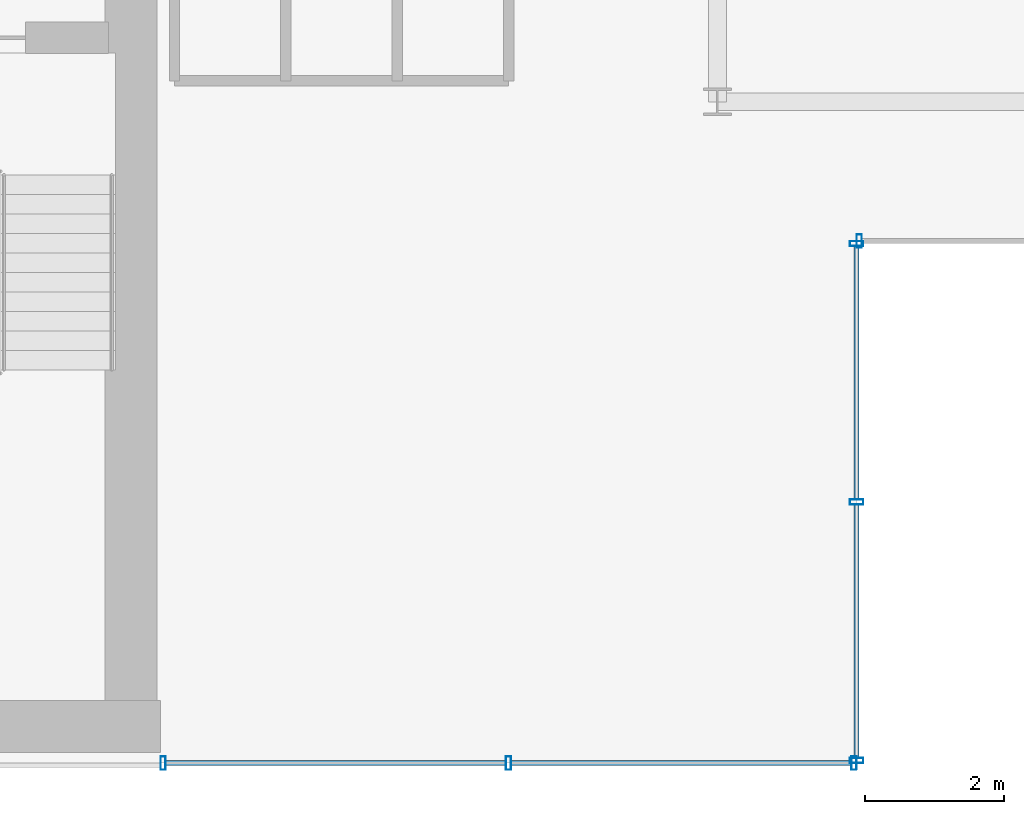
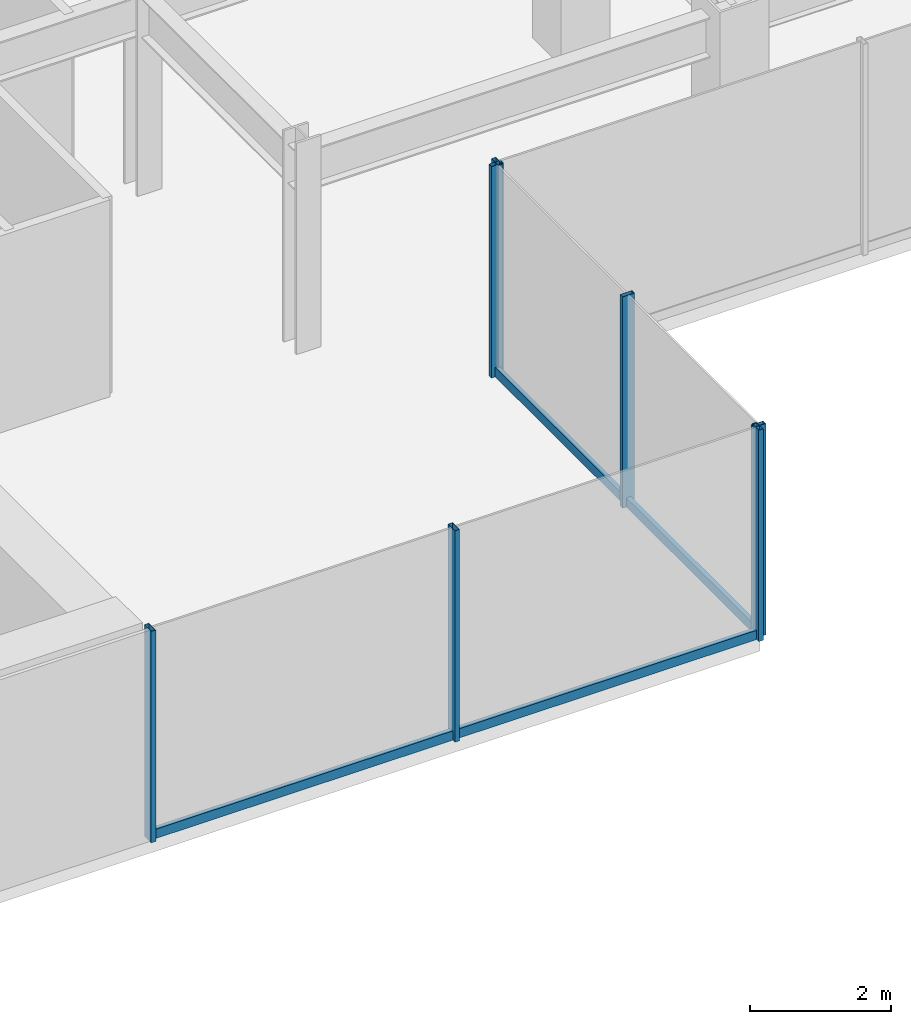
# One storey, part 8 of 26: 11 members, 3 elements without a shape of their own.
"""IFC4 building model written with IfcOpenShell, lengths in metres."""

import ifcopenshell
import ifcopenshell.guid

model = None  # the IFC model being written
_history = None  # IfcOwnerHistory: only IFC2X3 demands one
_inside = {}  # id of a spatial element -> (the spatial element, [elements in it])
_under = {}  # id of a project, library or spatial element -> (it, [spatial elements below it])
_declared = {}  # id of a project -> (the project, [libraries it declares])
_typed = {}  # id of a type object -> (the type object, [elements of that type])
_made_of = {}  # id of a material, layer set ... -> (it, [elements and type objects made of it])


def new_model(schema):
    """Start an empty IFC model of exactly this schema.

    Asked for "IFC4X3", IfcOpenShell would pick the latest addendum, in which some entities
    have other attributes; the version numbers below select the first issue.
    IFC2X3 requires an IfcOwnerHistory on every rooted entity: one is made here for all.
    """
    global model, _history
    if schema == "IFC4X3":
        model = ifcopenshell.file(schema_version=(4, 3, 0, 0))
    else:
        model = ifcopenshell.file(schema=schema)
    _inside.clear()
    _under.clear()
    _declared.clear()
    _typed.clear()
    _made_of.clear()
    _history = None
    if model.schema == "IFC2X3":
        org = make("IfcOrganization", Name="unknown")
        user = make(
            "IfcPersonAndOrganization",
            ThePerson=make("IfcPerson", FamilyName="unknown"),
            TheOrganization=org,
        )
        app = make(
            "IfcApplication",
            ApplicationDeveloper=org,
            Version="unknown",
            ApplicationFullName="unknown",
            ApplicationIdentifier="unknown",
        )
        _history = make(
            "IfcOwnerHistory",
            OwningUser=user,
            OwningApplication=app,
            ChangeAction="ADDED",
            CreationDate=0,
        )
    return model


def make(cls, **values):
    """One entity of the class cls with the attributes given. An attribute that is None is left unset."""
    return model.create_entity(
        cls, **{name: value for name, value in values.items() if value is not None}
    )


def rooted(cls, **values):
    """An entity with a GlobalId (a new one), such as an element, a storey or a relation."""
    return make(cls, GlobalId=ifcopenshell.guid.new(), OwnerHistory=_history, **values)


def si_unit(unit_type, name, prefix=None):
    """IfcSIUnit, for example si_unit("LENGTHUNIT", "METRE", prefix="MILLI")."""
    return make("IfcSIUnit", UnitType=unit_type, Prefix=prefix, Name=name)


def derived_unit(unit_type, elements):
    """IfcDerivedUnit: a product of units, each with its exponent."""
    return make(
        "IfcDerivedUnit",
        Elements=[
            make("IfcDerivedUnitElement", Unit=unit, Exponent=power)
            for unit, power in elements
        ],
        UnitType=unit_type,
    )


def assignment(units):
    """IfcUnitAssignment: the units of a project."""
    return None if units is None else make("IfcUnitAssignment", Units=units)


def point(xyz):
    """IfcCartesianPoint."""
    return None if xyz is None else make("IfcCartesianPoint", Coordinates=xyz)


def direction(xyz):
    """IfcDirection."""
    return None if xyz is None else make("IfcDirection", DirectionRatios=xyz)


def frame(location, z_axis=None, x_axis=None):
    """IfcAxis2Placement3D, a coordinate frame: its origin and axes. An axis left out is left unset."""
    return make(
        "IfcAxis2Placement3D",
        Location=point(location),
        Axis=direction(z_axis),
        RefDirection=direction(x_axis),
    )


def frame_2d(location, x_axis=None):
    """IfcAxis2Placement2D, a coordinate frame in the plane: its origin and x axis."""
    return make(
        "IfcAxis2Placement2D", Location=point(location), RefDirection=direction(x_axis)
    )


def origin():
    """The frame at (0, 0, 0) with its axes left unset."""
    return frame((0.0, 0.0, 0.0))


def origin_2d():
    """The frame at (0, 0) in the plane with its x axis left unset."""
    return frame_2d((0.0, 0.0))


def place(relative_to, where):
    """IfcLocalPlacement: puts the frame where relative to a parent placement (None: the world)."""
    return make(
        "IfcLocalPlacement", PlacementRelTo=relative_to, RelativePlacement=where
    )


def context(
    kind, dimensions, precision=None, world=None, true_north=None, identifier=None
):
    """IfcGeometricRepresentationContext, for example the 3D "Model" context."""
    return make(
        "IfcGeometricRepresentationContext",
        ContextIdentifier=identifier,
        ContextType=kind,
        CoordinateSpaceDimension=dimensions,
        Precision=precision,
        WorldCoordinateSystem=world,
        TrueNorth=true_north,
    )


def subcontext(parent, identifier, kind, view, scale=None):
    """IfcGeometricRepresentationSubContext, for example "Body" below "Model"."""
    return make(
        "IfcGeometricRepresentationSubContext",
        ContextIdentifier=identifier,
        ContextType=kind,
        ParentContext=parent,
        TargetScale=scale,
        TargetView=view,
    )


def project(units=None, contexts=None):
    """IfcProject with its units and contexts."""
    return rooted(
        "IfcProject",
        Name="project",
        RepresentationContexts=contexts,
        UnitsInContext=assignment(units),
    )


def spatial(cls, under=None, at=None, **own):
    """A site, building, storey or space (cls), placed at a placement, below another one or the project."""
    s = rooted(cls, ObjectPlacement=at, **own)
    if under is not None:
        _under.setdefault(under.id(), (under, []))[1].append(s)
    return s


def profile(cls, at=None, kind="AREA", **sizes):
    """A parametric profile (cls). Its sizes go by their IFC names, for example OverallWidth=200.0."""
    return make(cls, ProfileType=kind, Position=at, **sizes)


def hollow_rectangle(**sizes):
    """IfcRectangleHollowProfileDef."""
    return profile("IfcRectangleHollowProfileDef", **sizes)


def extrude(swept, where, along, depth):
    """IfcExtrudedAreaSolid: the profile swept, set in the frame where, extruded along a direction by depth."""
    return make(
        "IfcExtrudedAreaSolid",
        SweptArea=swept,
        Position=where,
        ExtrudedDirection=direction(along),
        Depth=depth,
    )


def shape(context_of_items, identifier, shape_type, items):
    """IfcShapeRepresentation: the items that make up one representation, for example the "Body"."""
    return make(
        "IfcShapeRepresentation",
        ContextOfItems=context_of_items,
        RepresentationIdentifier=identifier,
        RepresentationType=shape_type,
        Items=items,
    )


def source(mapping_origin, context_of_items, identifier, shape_type, items):
    """IfcRepresentationMap: a shape defined once, which mapped items show again and again."""
    return make(
        "IfcRepresentationMap",
        MappingOrigin=mapping_origin,
        MappedRepresentation=shape(context_of_items, identifier, shape_type, items),
    )


def transform(
    local_origin,
    x_axis=None,
    y_axis=None,
    z_axis=None,
    scale=None,
    scale2=None,
    scale3=None,
    uniform=True,
):
    """IfcCartesianTransformationOperator3D, or its non-uniform kind. x_axis, y_axis, z_axis: its Axis1, 2, 3."""
    if uniform:
        return make(
            "IfcCartesianTransformationOperator3D",
            Axis1=direction(x_axis),
            Axis2=direction(y_axis),
            LocalOrigin=point(local_origin),
            Scale=scale,
            Axis3=direction(z_axis),
        )
    return make(
        "IfcCartesianTransformationOperator3DnonUniform",
        Axis1=direction(x_axis),
        Axis2=direction(y_axis),
        LocalOrigin=point(local_origin),
        Scale=scale,
        Axis3=direction(z_axis),
        Scale2=scale2,
        Scale3=scale3,
    )


def mapped(mapping_source, mapping_target):
    """IfcMappedItem: shows the shape of a source again, moved by a transform."""
    return make(
        "IfcMappedItem", MappingSource=mapping_source, MappingTarget=mapping_target
    )


def material(Name=None, Category=None):
    """IfcMaterial."""
    return make("IfcMaterial", Name=Name, Category=Category)


def material_profile(
    of_material, cross_section, Name=None, Category=None, Priority=None
):
    """IfcMaterialProfile: a cross section and its material."""
    return make(
        "IfcMaterialProfile",
        Name=Name,
        Material=of_material,
        Profile=cross_section,
        Priority=Priority,
        Category=Category,
    )


def profile_set(profiles, Name=None, composite=None):
    """IfcMaterialProfileSet."""
    return make(
        "IfcMaterialProfileSet",
        Name=Name,
        MaterialProfiles=profiles,
        CompositeProfile=composite,
    )


def made_of(thing, what):
    """Note that an element or type object is made of a material, layer set ...; save() writes the relation."""
    if what is not None:
        _made_of.setdefault(what.id(), (what, []))[1].append(thing)
    return thing


def type_object(cls, material=None, **own):
    """A type object (cls), such as IfcWallType, which elements share."""
    return made_of(rooted(cls, **own), material)


def element(
    cls,
    number,
    at=None,
    inside=None,
    cuts=None,
    type_object=None,
    material=None,
    context=None,
    identifier="Body",
    shape_type=None,
    held_by="IfcProductDefinitionShape",
    body=None,
    shapes=None,
    **own,
):
    """One element of the class cls, such as IfcWall. Its Tag is "e" and its number.

    at: its placement. inside: the storey or other place that contains it. cuts: it is an
    opening in that element (IfcRelVoidsElement). A single representation is given by context,
    identifier, shape_type and body (its items); several are given by shapes. held_by: the class
    of the entity that holds the representations. save() writes the other relations.
    """
    e = rooted(cls, Tag="e%d" % number, ObjectPlacement=at, **own)
    if body is not None:
        shapes = [shape(context, identifier, shape_type, body)]
    if shapes is not None:
        e.Representation = make(held_by, Representations=shapes)
    if inside is not None:
        _inside.setdefault(inside.id(), (inside, []))[1].append(e)
    if cuts is not None:
        rooted(
            "IfcRelVoidsElement", RelatingBuildingElement=cuts, RelatedOpeningElement=e
        )
    if type_object is not None:
        _typed.setdefault(type_object.id(), (type_object, []))[1].append(e)
    return made_of(e, material)


def aggregate(whole, parts):
    """IfcRelAggregates: a whole, such as a stair, and the parts it consists of."""
    return rooted("IfcRelAggregates", RelatingObject=whole, RelatedObjects=parts)


def save(model, path):
    """Write the relations noted so far, then the file.

    IfcRelAggregates (storeys below a building ...), IfcRelContainedInSpatialStructure (elements
    in a storey), IfcRelDefinesByType, IfcRelAssociatesMaterial and IfcRelDeclares: one each for
    every whole, place, type object, material and project.
    """
    for whole, parts in _under.values():
        aggregate(whole, parts)
    for where, things in _inside.values():
        rooted(
            "IfcRelContainedInSpatialStructure",
            RelatedElements=things,
            RelatingStructure=where,
        )
    for kind, things in _typed.values():
        rooted("IfcRelDefinesByType", RelatedObjects=things, RelatingType=kind)
    for what, things in _made_of.values():
        rooted("IfcRelAssociatesMaterial", RelatedObjects=things, RelatingMaterial=what)
    for by, libraries in _declared.values():
        rooted("IfcRelDeclares", RelatingContext=by, RelatedDefinitions=libraries)
    model.write(path)


model = new_model("IFC4")

# Units and contexts
model_context = context("Model", 3, precision=1e-05, world=origin(), true_north=direction((0.0, 1.0)))
body_context = subcontext(model_context, "Body", "Model", "MODEL_VIEW")
ifc_project = project(units=[si_unit("LENGTHUNIT", "METRE"), si_unit("AREAUNIT", "SQUARE_METRE"), si_unit("VOLUMEUNIT", "CUBIC_METRE"), si_unit("PLANEANGLEUNIT", "RADIAN"), si_unit("MASSUNIT", "GRAM", prefix="KILO"), derived_unit("THERMALTRANSMITTANCEUNIT", [(si_unit("POWERUNIT", "WATT"), 1), (si_unit("LENGTHUNIT", "METRE"), -2), (si_unit("THERMODYNAMICTEMPERATUREUNIT", "KELVIN"), -1)])], contexts=[model_context])

# Site, building, storey
site_placement = place(None, origin())
site = spatial("IfcSite", under=ifc_project, at=site_placement, CompositionType="ELEMENT")
building_placement = place(site_placement, origin())
building = spatial("IfcBuilding", under=site, at=building_placement, Name="Skarnbrae Concourse Arena and Tower", CompositionType="ELEMENT")
storey_placement = place(building_placement, frame((0.0, 0.0, 117.85009765625)))
storey = spatial("IfcBuildingStorey", under=building, at=storey_placement, Name="L29", CompositionType="ELEMENT", Elevation=117.85009765625)

# Curtain wall, members
ifc_material = material(Name="Bronze anodised aluminium 6063-T6", Category="aluminium")
curtain_wall_type = type_object("IfcCurtainWallType", Name="CW-SYS-04-MIDZONE", PredefinedType="USERDEFINED", material=ifc_material)
curtain_wall_1_placement = place(storey_placement, origin())
curtain_wall_1 = element("IfcCurtainWall", 1, at=curtain_wall_1_placement, inside=storey, type_object=curtain_wall_type, Name="L29 Unitised curtain wall CW-L29-SE-SPINE", ObjectType="UNITISED CURTAIN WALL", PredefinedType="USERDEFINED")
ifc_material_profile_1 = material_profile(ifc_material, hollow_rectangle(XDim=0.074951171875, YDim=0.159912109375, WallThickness=0.00439453125, at=origin_2d()), Name="ALU-TRAN-75X160")
ifc_profile_set_1 = profile_set([ifc_material_profile_1], Name="Bronze anodised aluminium 6063-T6")
member_type_1 = type_object("IfcMemberType", Name="CWT-CW-04", PredefinedType="USERDEFINED", material=ifc_profile_set_1)
shared_shape_1 = source(origin(), body_context, "Body", "SweptSolid", [
    extrude(hollow_rectangle(XDim=0.074951171875, YDim=0.159912109375, WallThickness=0.00439453125, at=origin_2d()), origin(), (0.0, 0.0, 1.0), 4.887451171875),
])
member_1_placement = place(storey_placement, frame((34.074951171875, 0.0, 0.079833984375), z_axis=(1.0, 0.0, 0.0), x_axis=(0.0, 1.0, 0.0)))
member_1 = element("IfcMember", 2, at=member_1_placement, type_object=member_type_1, Name="CW-L29-SE-SPINE Transom 1", ObjectType="TRANSOM", PredefinedType="USERDEFINED", context=body_context, shape_type="MappedRepresentation", body=[
    mapped(shared_shape_1, transform((0.0, 0.0, 0.0))),
])
member_2_placement = place(storey_placement, frame((39.03759765625, 0.0, 0.079833984375), z_axis=(1.0, 0.0, 0.0), x_axis=(0.0, 1.0, 0.0)))
member_2 = element("IfcMember", 3, at=member_2_placement, type_object=member_type_1, Name="CW-L29-SE-SPINE Transom 2", ObjectType="TRANSOM", PredefinedType="USERDEFINED", context=body_context, shape_type="MappedRepresentation", body=[
    mapped(shared_shape_1, transform((0.0, 0.0, 0.0))),
])

curtain_wall_2_placement = place(storey_placement, origin())
curtain_wall_2 = element("IfcCurtainWall", 4, at=curtain_wall_2_placement, inside=storey, type_object=curtain_wall_type, Name="L29 Unitised curtain wall CW-L29-E02", ObjectType="UNITISED CURTAIN WALL", PredefinedType="USERDEFINED")
shared_shape_2 = source(origin(), body_context, "Body", "SweptSolid", [
    extrude(hollow_rectangle(XDim=0.074951171875, YDim=0.159912109375, WallThickness=0.00439453125, at=origin_2d()), origin(), (0.0, 0.0, 1.0), 3.637451171875),
])
member_3_placement = place(storey_placement, frame((44.0, 0.074951171875, 0.079833984375), z_axis=(0.0, 1.0, 0.0), x_axis=(-1.0, 0.0, 0.0)))
member_3 = element("IfcMember", 5, at=member_3_placement, type_object=member_type_1, Name="CW-L29-E02 Transom 1", ObjectType="TRANSOM", PredefinedType="USERDEFINED", context=body_context, shape_type="MappedRepresentation", body=[
    mapped(shared_shape_2, transform((0.0, 0.0, 0.0))),
])
member_4_placement = place(storey_placement, frame((44.0, 3.78759765625, 0.079833984375), z_axis=(0.0, 1.0, 0.0), x_axis=(-1.0, 0.0, 0.0)))
member_4 = element("IfcMember", 6, at=member_4_placement, type_object=member_type_1, Name="CW-L29-E02 Transom 2", ObjectType="TRANSOM", PredefinedType="USERDEFINED", context=body_context, shape_type="MappedRepresentation", body=[
    mapped(shared_shape_2, transform((0.0, 0.0, 0.0))),
])

# Member
ifc_material_profile_2 = material_profile(ifc_material, hollow_rectangle(XDim=0.074951171875, YDim=0.195068359375, WallThickness=0.00439453125, at=origin_2d()), Name="ALU-MULL-75X195")
ifc_profile_set_2 = profile_set([ifc_material_profile_2], Name="Bronze anodised aluminium 6063-T6")
member_type_2 = type_object("IfcMemberType", Name="CWM-CW-04", PredefinedType="MULLION", material=ifc_profile_set_2)
shared_shape_3 = source(origin(), body_context, "Body", "SweptSolid", [
    extrude(hollow_rectangle(XDim=0.074951171875, YDim=0.195068359375, WallThickness=0.00439453125, at=origin_2d()), origin(), (0.0, 0.0, 1.0), 3.64990234375),
])
member_5_placement = place(storey_placement, frame((34.03759765625, 0.0, 0.0), z_axis=(0.0, 0.0, 1.0), x_axis=(1.0, 0.0, 0.0)))
member_5 = element("IfcMember", 7, at=member_5_placement, type_object=member_type_2, Name="CW-L29-SE-SPINE Mullion 1", PredefinedType="MULLION", context=body_context, shape_type="MappedRepresentation", body=[
    mapped(shared_shape_3, transform((0.0, 0.0, 0.0))),
])

member_6_placement = place(storey_placement, frame((39.0, 0.0, 0.0), z_axis=(0.0, 0.0, 1.0), x_axis=(1.0, 0.0, 0.0)))
member_6 = element("IfcMember", 8, at=member_6_placement, type_object=member_type_2, Name="CW-L29-SE-SPINE Mullion 2", PredefinedType="MULLION", context=body_context, shape_type="MappedRepresentation", body=[
    mapped(shared_shape_3, transform((0.0, 0.0, 0.0))),
])

member_7_placement = place(storey_placement, frame((43.96240234375, 0.0, 0.0), z_axis=(0.0, 0.0, 1.0), x_axis=(1.0, 0.0, 0.0)))
member_7 = element("IfcMember", 9, at=member_7_placement, type_object=member_type_2, Name="CW-L29-SE-SPINE Mullion 3", PredefinedType="MULLION", context=body_context, shape_type="MappedRepresentation", body=[
    mapped(shared_shape_3, transform((0.0, 0.0, 0.0))),
])

aggregate(curtain_wall_1, [member_5, member_6, member_7, member_1, member_2])

member_8_placement = place(storey_placement, frame((44.0, 0.03759765625, 0.0), z_axis=(0.0, 0.0, 1.0), x_axis=(0.0, 1.0, 0.0)))
member_8 = element("IfcMember", 10, at=member_8_placement, type_object=member_type_2, Name="CW-L29-E02 Mullion 1", PredefinedType="MULLION", context=body_context, shape_type="MappedRepresentation", body=[
    mapped(shared_shape_3, transform((0.0, 0.0, 0.0))),
])

member_9_placement = place(storey_placement, frame((44.0, 3.75, 0.0), z_axis=(0.0, 0.0, 1.0), x_axis=(0.0, 1.0, 0.0)))
member_9 = element("IfcMember", 11, at=member_9_placement, type_object=member_type_2, Name="CW-L29-E02 Mullion 2", PredefinedType="MULLION", context=body_context, shape_type="MappedRepresentation", body=[
    mapped(shared_shape_3, transform((0.0, 0.0, 0.0))),
])

member_10_placement = place(storey_placement, frame((44.0, 7.46240234375, 0.0), z_axis=(0.0, 0.0, 1.0), x_axis=(0.0, 1.0, 0.0)))
member_10 = element("IfcMember", 12, at=member_10_placement, type_object=member_type_2, Name="CW-L29-E02 Mullion 3", PredefinedType="MULLION", context=body_context, shape_type="MappedRepresentation", body=[
    mapped(shared_shape_3, transform((0.0, 0.0, 0.0))),
])

aggregate(curtain_wall_2, [member_8, member_9, member_10, member_3, member_4])

# Curtain wall, member
curtain_wall_3_placement = place(storey_placement, origin())
curtain_wall_3 = element("IfcCurtainWall", 13, at=curtain_wall_3_placement, inside=storey, type_object=curtain_wall_type, Name="L29 Unitised curtain wall CW-L29-E03", ObjectType="UNITISED CURTAIN WALL", PredefinedType="USERDEFINED")
member_11_placement = place(storey_placement, frame((44.03759765625, 7.5, 0.0), z_axis=(0.0, 0.0, 1.0), x_axis=(1.0, 0.0, 0.0)))
member_11 = element("IfcMember", 14, at=member_11_placement, type_object=member_type_2, Name="CW-L29-E03 Mullion 1", PredefinedType="MULLION", context=body_context, shape_type="MappedRepresentation", body=[
    mapped(shared_shape_3, transform((0.0, 0.0, 0.0))),
])
aggregate(curtain_wall_3, [member_11])

save(model, "model.ifc")
